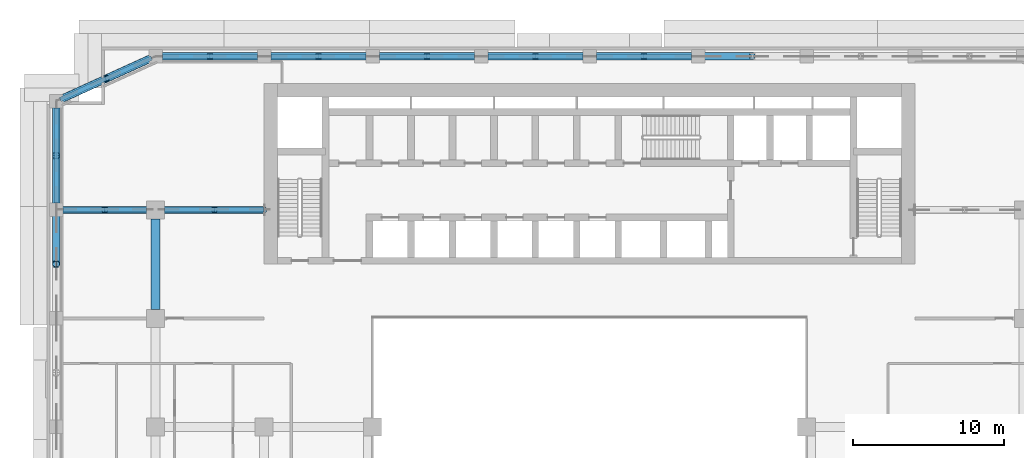
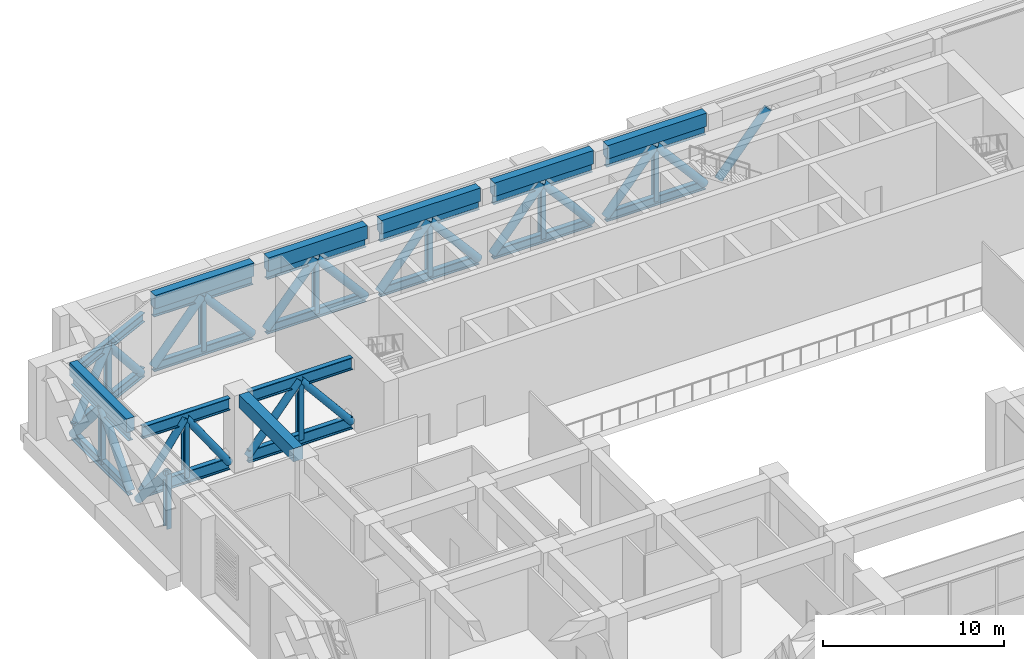
# One storey, part 6 of 19: 48 members, 7 beams.
"""IFC4 building model written with IfcOpenShell, lengths in metres."""

from ifc_helpers import new_model, si_unit, direction, frame, origin, origin_2d, place, context, subcontext, project, spatial, rectangle, hollow_circle, i_section, extrude, source, transform, mapped, material, material_profile, profile_set, type_object, element, save


model = new_model("IFC4")

# Units and contexts
model_context = context("Model", 3, precision=1e-05, world=origin(), true_north=direction((0.0, 1.0)))
body_context = subcontext(model_context, "Body", "Model", "MODEL_VIEW")
ifc_project = project(units=[si_unit("LENGTHUNIT", "METRE"), si_unit("AREAUNIT", "SQUARE_METRE"), si_unit("VOLUMEUNIT", "CUBIC_METRE"), si_unit("PLANEANGLEUNIT", "RADIAN"), si_unit("MASSUNIT", "GRAM", prefix="KILO")], contexts=[model_context])

# Site, building, storey
site_placement = place(None, origin())
site = spatial("IfcSite", under=ifc_project, at=site_placement, CompositionType="ELEMENT")
building_placement = place(site_placement, origin())
building = spatial("IfcBuilding", under=site, at=building_placement, Name="Saffron Iwan Residences", CompositionType="ELEMENT")
storey_placement = place(building_placement, frame((0.0, 0.0, 107.5)))
storey = spatial("IfcBuildingStorey", under=building, at=storey_placement, Name="L28", CompositionType="ELEMENT", Elevation=107.5)

# Beams
ifc_material_1 = material(Name="Concrete C60/75", Category="concrete")
ifc_material_profile_1 = material_profile(ifc_material_1, rectangle(XDim=0.5, YDim=0.89990234375, at=origin_2d()), Name="RC 500x900")
ifc_profile_set_1 = profile_set([ifc_material_profile_1], Name="Concrete C60/75")
beam_type_1 = type_object("IfcBeamType", Name="SPANDREL BEAM RC 500x900 C60/75 TOP 5200", PredefinedType="SPANDREL", material=ifc_profile_set_1)
shared_shape_1 = source(origin(), body_context, "Body", "SweptSolid", [
    extrude(rectangle(XDim=0.5, YDim=0.89990234375, at=origin_2d()), origin(), (0.0, 0.0, 1.0), 6.300048828125),
])
for number, where, z_axis, x_axis, name in (
    (1, (15.0, 70.050048828125, 4.75), (0.0, 1.0, 0.0), (-1.0, 0.0, 0.0), "Spandrel beam"),
    (2, (22.050048828125, 79.800048828125, 4.75), (1.0, 0.0, 0.0), (0.0, 1.0, 0.0), "Spandrel beam"),
    (3, (29.25, 79.800048828125, 4.75), (1.0, 0.0, 0.0), (0.0, 1.0, 0.0), "Spandrel beam"),
    (4, (36.449951171875, 79.800048828125, 4.75), (1.0, 0.0, 0.0), (0.0, 1.0, 0.0), "Spandrel beam"),
    (5, (43.64990234375, 79.800048828125, 4.75), (1.0, 0.0, 0.0), (0.0, 1.0, 0.0), "Spandrel beam"),
):
    element("IfcBeam", number, at=place(storey_placement, frame(where, z_axis=z_axis, x_axis=x_axis)), inside=storey, type_object=beam_type_1, Name=name, PredefinedType="SPANDREL", context=body_context, shape_type="MappedRepresentation", body=[
        mapped(shared_shape_1, transform((0.0, 0.0, 0.0))),
    ])
shared_shape_2 = source(origin(), body_context, "Body", "SweptSolid", [
    extrude(rectangle(XDim=0.5, YDim=0.89990234375, at=origin_2d()), origin(), (0.0, 0.0, 1.0), 6.2998046875),
])
beam_1_placement = place(storey_placement, frame((50.85009765625, 79.800048828125, 4.75), z_axis=(1.0, 0.0, 0.0), x_axis=(0.0, 1.0, 0.0)))
element("IfcBeam", 6, at=beam_1_placement, inside=storey, type_object=beam_type_1, Name="Spandrel beam", PredefinedType="SPANDREL", context=body_context, shape_type="MappedRepresentation", body=[
    mapped(shared_shape_2, transform((0.0, 0.0, 0.0))),
])
ifc_material_profile_2 = material_profile(ifc_material_1, rectangle(XDim=0.60009765625, YDim=0.89990234375, at=origin_2d()), Name="RC 600x900")
ifc_profile_set_2 = profile_set([ifc_material_profile_2], Name="Concrete C60/75")
beam_type_2 = type_object("IfcBeamType", Name="BEAM RC 600x900 C60/75 TOP 5200", PredefinedType="BEAM", material=ifc_profile_set_2)
shared_shape_3 = source(origin(), body_context, "Body", "SweptSolid", [
    extrude(rectangle(XDim=0.60009765625, YDim=0.89990234375, at=origin_2d()), origin(), (0.0, 0.0, 1.0), 6.0),
])
beam_2_placement = place(storey_placement, frame((21.60009765625, 63.0, 4.75), z_axis=(0.0, 1.0, 0.0), x_axis=(-1.0, 0.0, 0.0)))
element("IfcBeam", 7, at=beam_2_placement, inside=storey, type_object=beam_type_2, Name="Floor beam", PredefinedType="BEAM", context=body_context, shape_type="MappedRepresentation", body=[
    mapped(shared_shape_3, transform((0.0, 0.0, 0.0))),
])

# Members
ifc_material_2 = material(Name="Steel S355", Category="steel")
ifc_material_profile_3 = material_profile(ifc_material_2, i_section(OverallWidth=0.304931640625, OverallDepth=0.6201171875, WebThickness=0.02099609375, FlangeThickness=0.0400390625, FilletRadius=0.027099609375, at=origin_2d()), Name="HE 600 M")
ifc_profile_set_3 = profile_set([ifc_material_profile_3], Name="Steel S355")
member_type_1 = type_object("IfcMemberType", Name="BELT TRUSS CHORD HE 600 M S355", PredefinedType="CHORD", material=ifc_profile_set_3)
shared_shape_4 = source(origin(), body_context, "Body", "SweptSolid", [
    extrude(i_section(OverallWidth=0.304931640625, OverallDepth=0.6201171875, WebThickness=0.02099609375, FlangeThickness=0.0400390625, FilletRadius=0.027099609375, at=origin_2d()), origin(), (0.0, 0.0, 1.0), 6.300048828125),
])
for number, where, z_axis, x_axis, name in (
    (8, (15.0, 70.050048828125, 0.31005859375), (0.0, 1.0, 0.0), (-1.0, 0.0, 0.0), "Belt truss chord L28"),
    (9, (15.0, 70.050048828125, 3.989990234375), (0.0, 1.0, 0.0), (-1.0, 0.0, 0.0), "Belt truss chord L28"),
    (10, (22.050048828125, 79.800048828125, 0.31005859375), (1.0, 0.0, 0.0), (0.0, 1.0, 0.0), "Belt truss chord L28"),
    (11, (22.050048828125, 79.800048828125, 3.989990234375), (1.0, 0.0, 0.0), (0.0, 1.0, 0.0), "Belt truss chord L28"),
    (12, (29.25, 79.800048828125, 0.31005859375), (1.0, 0.0, 0.0), (0.0, 1.0, 0.0), "Belt truss chord L28"),
    (13, (29.25, 79.800048828125, 3.989990234375), (1.0, 0.0, 0.0), (0.0, 1.0, 0.0), "Belt truss chord L28"),
    (14, (36.449951171875, 79.800048828125, 0.31005859375), (1.0, 0.0, 0.0), (0.0, 1.0, 0.0), "Belt truss chord L28"),
    (15, (36.449951171875, 79.800048828125, 3.989990234375), (1.0, 0.0, 0.0), (0.0, 1.0, 0.0), "Belt truss chord L28"),
    (16, (43.64990234375, 79.800048828125, 0.31005859375), (1.0, 0.0, 0.0), (0.0, 1.0, 0.0), "Belt truss chord L28"),
    (17, (43.64990234375, 79.800048828125, 3.989990234375), (1.0, 0.0, 0.0), (0.0, 1.0, 0.0), "Belt truss chord L28"),
):
    element("IfcMember", number, at=place(storey_placement, frame(where, z_axis=z_axis, x_axis=x_axis)), inside=storey, type_object=member_type_1, Name=name, PredefinedType="CHORD", context=body_context, shape_type="MappedRepresentation", body=[
        mapped(shared_shape_4, transform((0.0, 0.0, 0.0))),
    ])
ifc_material_profile_4 = material_profile(ifc_material_2, hollow_circle(Radius=0.25390625, WallThickness=0.01611328125, at=origin_2d()), Name="CHS 508x16")
ifc_profile_set_4 = profile_set([ifc_material_profile_4], Name="Steel S355")
member_type_2 = type_object("IfcMemberType", Name="BELT TRUSS DIAGONAL CHS 508x16 S355", PredefinedType="BRACE", material=ifc_profile_set_4)
shared_shape_5 = source(origin(), body_context, "Body", "SweptSolid", [
    extrude(hollow_circle(Radius=0.25390625, WallThickness=0.01611328125, at=origin_2d()), origin(), (0.0, 0.0, 1.0), 4.843994140625),
])
for number, where, z_axis, x_axis, name in (
    (18, (15.0, 66.0, 3.989990234375), (0.0, 0.650276538531, -0.75969758683), (-1.0, 0.0, 0.0), "Belt truss diagonal L28"),
    (19, (15.0, 70.050048828125, 0.31005859375), (0.0, 0.650276538531, 0.75969758683), (-1.0, 0.0, 0.0), "Belt truss diagonal L28"),
    (20, (15.0, 73.199951171875, 3.989990234375), (0.0, 0.650305625683, -0.759672688206), (-1.0, 0.0, 0.0), "Belt truss diagonal L28"),
    (21, (22.050048828125, 79.800048828125, 0.31005859375), (0.650276538531, 0.0, 0.75969758683), (0.0, 1.0, 0.0), "Belt truss diagonal L28"),
    (22, (25.199951171875, 79.800048828125, 3.989990234375), (0.650305625683, 0.0, -0.759672688206), (0.0, 1.0, 0.0), "Belt truss diagonal L28"),
    (23, (29.25, 79.800048828125, 0.31005859375), (0.650276538531, 0.0, 0.75969758683), (0.0, 1.0, 0.0), "Belt truss diagonal L28"),
    (24, (32.39990234375, 79.800048828125, 3.989990234375), (0.650305625683, 0.0, -0.759672688206), (0.0, 1.0, 0.0), "Belt truss diagonal L28"),
    (25, (36.449951171875, 79.800048828125, 0.31005859375), (0.650305625683, 0.0, 0.759672688206), (0.0, 1.0, 0.0), "Belt truss diagonal L28"),
    (26, (39.60009765625, 79.800048828125, 3.989990234375), (0.650276538531, 0.0, -0.75969758683), (0.0, 1.0, 0.0), "Belt truss diagonal L28"),
    (27, (43.64990234375, 79.800048828125, 0.31005859375), (0.650305625683, 0.0, 0.759672688206), (0.0, 1.0, 0.0), "Belt truss diagonal L28"),
    (28, (46.800048828125, 79.800048828125, 3.989990234375), (0.650276538531, 0.0, -0.75969758683), (0.0, 1.0, 0.0), "Belt truss diagonal L28"),
    (29, (50.85009765625, 79.800048828125, 0.31005859375), (0.650276538531, 0.0, 0.75969758683), (0.0, 1.0, 0.0), "Belt truss diagonal L28"),
    (30, (54.0, 79.800048828125, 3.989990234375), (0.650276538531, 0.0, -0.75969758683), (0.0, 1.0, 0.0), "Belt truss diagonal L28"),
    (31, (58.050048828125, 79.800048828125, 0.31005859375), (0.650276538531, 0.0, 0.75969758683), (0.0, 1.0, 0.0), "Belt truss diagonal L28"),
):
    element("IfcMember", number, at=place(storey_placement, frame(where, z_axis=z_axis, x_axis=x_axis)), inside=storey, type_object=member_type_2, Name=name, PredefinedType="BRACE", context=body_context, shape_type="MappedRepresentation", body=[
        mapped(shared_shape_5, transform((0.0, 0.0, 0.0))),
    ])
ifc_material_profile_5 = material_profile(ifc_material_2, i_section(OverallWidth=0.300048828125, OverallDepth=0.39990234375, WebThickness=0.013427734375, FlangeThickness=0.02392578125, FilletRadius=0.027099609375, at=origin_2d()), Name="HE 400 B")
ifc_profile_set_5 = profile_set([ifc_material_profile_5], Name="Steel S355")
member_type_3 = type_object("IfcMemberType", Name="BELT TRUSS POST HE 400 B S355", PredefinedType="POST", material=ifc_profile_set_5)
shared_shape_6 = source(origin(), body_context, "Body", "SweptSolid", [
    extrude(i_section(OverallWidth=0.300048828125, OverallDepth=0.39990234375, WebThickness=0.013427734375, FlangeThickness=0.02392578125, FilletRadius=0.027099609375, at=origin_2d()), origin(), (0.0, 0.0, 1.0), 3.679931640625),
])
for number, where, z_axis, x_axis, name in (
    (32, (15.0, 66.0, 0.31005859375), (0.0, 0.0, 1.0), (1.0, 0.0, 0.0), "Belt truss post L28"),
    (33, (15.0, 73.199951171875, 0.31005859375), (0.0, 0.0, 1.0), (1.0, 0.0, 0.0), "Belt truss post L28"),
    (34, (18.300048828125, 78.300048828125, 0.31005859375), (0.0, 0.0, 1.0), (1.0, 0.0, 0.0), "Belt truss post L28"),
    (35, (25.199951171875, 79.800048828125, 0.31005859375), (0.0, 0.0, 1.0), (1.0, 0.0, 0.0), "Belt truss post L28"),
    (36, (32.39990234375, 79.800048828125, 0.31005859375), (0.0, 0.0, 1.0), (1.0, 0.0, 0.0), "Belt truss post L28"),
    (37, (39.60009765625, 79.800048828125, 0.31005859375), (0.0, 0.0, 1.0), (1.0, 0.0, 0.0), "Belt truss post L28"),
    (38, (46.800048828125, 79.800048828125, 0.31005859375), (0.0, 0.0, 1.0), (1.0, 0.0, 0.0), "Belt truss post L28"),
    (39, (54.0, 79.800048828125, 0.31005859375), (0.0, 0.0, 1.0), (1.0, 0.0, 0.0), "Belt truss post L28"),
):
    element("IfcMember", number, at=place(storey_placement, frame(where, z_axis=z_axis, x_axis=x_axis)), inside=storey, type_object=member_type_3, Name=name, PredefinedType="POST", context=body_context, shape_type="MappedRepresentation", body=[
        mapped(shared_shape_6, transform((0.0, 0.0, 0.0))),
    ])
shared_shape_7 = source(origin(), body_context, "Body", "SweptSolid", [
    extrude(i_section(OverallWidth=0.304931640625, OverallDepth=0.6201171875, WebThickness=0.02099609375, FlangeThickness=0.0400390625, FilletRadius=0.027099609375, at=origin_2d()), origin(), (0.0, 0.0, 1.0), 6.2998046875),
])
for number, where, z_axis, x_axis, name in (
    (40, (50.85009765625, 79.800048828125, 0.31005859375), (1.0, 0.0, 0.0), (0.0, 1.0, 0.0), "Belt truss chord L28"),
    (41, (50.85009765625, 79.800048828125, 3.989990234375), (1.0, 0.0, 0.0), (0.0, 1.0, 0.0), "Belt truss chord L28"),
):
    element("IfcMember", number, at=place(storey_placement, frame(where, z_axis=z_axis, x_axis=x_axis)), inside=storey, type_object=member_type_1, Name=name, PredefinedType="CHORD", context=body_context, shape_type="MappedRepresentation", body=[
        mapped(shared_shape_7, transform((0.0, 0.0, 0.0))),
    ])
shared_shape_8 = source(origin(), body_context, "Body", "SweptSolid", [
    extrude(i_section(OverallWidth=0.304931640625, OverallDepth=0.6201171875, WebThickness=0.02099609375, FlangeThickness=0.0400390625, FilletRadius=0.027099609375, at=origin_2d()), origin(), (0.0, 0.0, 1.0), 6.666015625),
])
for number, where, z_axis, x_axis, name in (
    (42, (15.265625, 76.9208984375, 0.31005859375), (0.910375257104, 0.413783628546, 0.0), (-0.413783628546, 0.910375257104, 0.0), "Belt truss chord L28"),
    (43, (15.265625, 76.9208984375, 3.989990234375), (0.910375257104, 0.413783628546, 0.0), (-0.413783628546, 0.910375257104, 0.0), "Belt truss chord L28"),
):
    element("IfcMember", number, at=place(storey_placement, frame(where, z_axis=z_axis, x_axis=x_axis)), inside=storey, type_object=member_type_1, Name=name, PredefinedType="CHORD", context=body_context, shape_type="MappedRepresentation", body=[
        mapped(shared_shape_8, transform((0.0, 0.0, 0.0))),
    ])
shared_shape_9 = source(origin(), body_context, "Body", "SweptSolid", [
    extrude(hollow_circle(Radius=0.25390625, WallThickness=0.01611328125, at=origin_2d()), origin(), (0.0, 0.0, 1.0), 4.83154296875),
])
member_1_placement = place(storey_placement, frame((15.449951171875, 77.00439453125, 0.31005859375), z_axis=(0.589895577269, 0.268166509214, 0.761649480571), x_axis=(-0.413844070736, 0.910347782508, 0.0)))
element("IfcMember", 44, at=member_1_placement, inside=storey, type_object=member_type_2, Name="Belt truss diagonal L28", PredefinedType="BRACE", context=body_context, shape_type="MappedRepresentation", body=[
    mapped(shared_shape_9, transform((0.0, 0.0, 0.0))),
])
shared_shape_10 = source(origin(), body_context, "Body", "SweptSolid", [
    extrude(hollow_circle(Radius=0.25390625, WallThickness=0.01611328125, at=origin_2d()), origin(), (0.0, 0.0, 1.0), 4.831298828125),
])
member_2_placement = place(storey_placement, frame((18.300048828125, 78.300048828125, 3.989990234375), z_axis=(0.589870621502, 0.268127603674, -0.761682504746), x_axis=(-0.413808820165, 0.910363806593, 0.0)))
element("IfcMember", 45, at=member_2_placement, inside=storey, type_object=member_type_2, Name="Belt truss diagonal L28", PredefinedType="BRACE", context=body_context, shape_type="MappedRepresentation", body=[
    mapped(shared_shape_10, transform((0.0, 0.0, 0.0))),
])
ifc_material_profile_6 = material_profile(ifc_material_2, i_section(OverallWidth=0.302978515625, OverallDepth=0.81396484375, WebThickness=0.02099609375, FlangeThickness=0.0400390625, FilletRadius=0.030029296875, at=origin_2d()), Name="HE 800 M")
ifc_profile_set_6 = profile_set([ifc_material_profile_6], Name="Steel S355")
member_type_4 = type_object("IfcMemberType", Name="OUTRIGGER TRUSS CHORD HE 800 M S355", PredefinedType="CHORD", material=ifc_profile_set_6)
shared_shape_11 = source(origin(), body_context, "Body", "SweptSolid", [
    extrude(i_section(OverallWidth=0.302978515625, OverallDepth=0.81396484375, WebThickness=0.02099609375, FlangeThickness=0.0400390625, FilletRadius=0.030029296875, at=origin_2d()), origin(), (0.0, 0.0, 1.0), 6.60009765625),
])
for number, where, z_axis, x_axis, name in (
    (46, (28.800048828125, 69.60009765625, 0.406982421875), (-1.0, 0.0, 0.0), (0.0, -1.0, 0.0), "Outrigger truss chord L28"),
    (47, (28.800048828125, 69.60009765625, 4.39306640625), (-1.0, 0.0, 0.0), (0.0, -1.0, 0.0), "Outrigger truss chord L28"),
):
    element("IfcMember", number, at=place(storey_placement, frame(where, z_axis=z_axis, x_axis=x_axis)), inside=storey, type_object=member_type_4, Name=name, PredefinedType="CHORD", context=body_context, shape_type="MappedRepresentation", body=[
        mapped(shared_shape_11, transform((0.0, 0.0, 0.0))),
    ])
ifc_material_profile_7 = material_profile(ifc_material_2, hollow_circle(Radius=0.228515625, WallThickness=0.01611328125, at=origin_2d()), Name="CHS 457x16")
ifc_profile_set_7 = profile_set([ifc_material_profile_7], Name="Steel S355")
member_type_5 = type_object("IfcMemberType", Name="OUTRIGGER TRUSS DIAGONAL CHS 457x16 S355", PredefinedType="BRACE", material=ifc_profile_set_7)
shared_shape_12 = source(origin(), body_context, "Body", "SweptSolid", [
    extrude(hollow_circle(Radius=0.228515625, WallThickness=0.01611328125, at=origin_2d()), origin(), (0.0, 0.0, 1.0), 5.1748046875),
])
for number, where, z_axis, x_axis, name in (
    (48, (28.800048828125, 69.60009765625, 0.406982421875), (-0.637707706558, 0.0, 0.770278443809), (0.0, -1.0, 0.0), "Outrigger truss diagonal L28"),
    (49, (25.5, 69.60009765625, 4.39306640625), (-0.637707706558, 0.0, -0.770278443809), (0.0, -1.0, 0.0), "Outrigger truss diagonal L28"),
):
    element("IfcMember", number, at=place(storey_placement, frame(where, z_axis=z_axis, x_axis=x_axis)), inside=storey, type_object=member_type_5, Name=name, PredefinedType="BRACE", context=body_context, shape_type="MappedRepresentation", body=[
        mapped(shared_shape_12, transform((0.0, 0.0, 0.0))),
    ])
ifc_material_profile_8 = material_profile(ifc_material_2, i_section(OverallWidth=0.300048828125, OverallDepth=0.39990234375, WebThickness=0.013427734375, FlangeThickness=0.02392578125, FilletRadius=0.027099609375, at=origin_2d()), Name="HE 400 B")
ifc_profile_set_8 = profile_set([ifc_material_profile_8], Name="Steel S355")
member_type_6 = type_object("IfcMemberType", Name="OUTRIGGER TRUSS POST HE 400 B S355", PredefinedType="POST", material=ifc_profile_set_8)
shared_shape_13 = source(origin(), body_context, "Body", "SweptSolid", [
    extrude(i_section(OverallWidth=0.300048828125, OverallDepth=0.39990234375, WebThickness=0.013427734375, FlangeThickness=0.02392578125, FilletRadius=0.027099609375, at=origin_2d()), origin(), (0.0, 0.0, 1.0), 3.986083984375),
])
for number, where, z_axis, x_axis, name in (
    (50, (25.5, 69.60009765625, 0.406982421875), (0.0, 0.0, 1.0), (1.0, 0.0, 0.0), "Outrigger truss post L28"),
    (51, (18.22509765625, 69.60009765625, 0.406982421875), (0.0, 0.0, 1.0), (1.0, 0.0, 0.0), "Outrigger truss post L28"),
):
    element("IfcMember", number, at=place(storey_placement, frame(where, z_axis=z_axis, x_axis=x_axis)), inside=storey, type_object=member_type_6, Name=name, PredefinedType="POST", context=body_context, shape_type="MappedRepresentation", body=[
        mapped(shared_shape_13, transform((0.0, 0.0, 0.0))),
    ])
shared_shape_14 = source(origin(), body_context, "Body", "SweptSolid", [
    extrude(i_section(OverallWidth=0.302978515625, OverallDepth=0.81396484375, WebThickness=0.02099609375, FlangeThickness=0.0400390625, FilletRadius=0.030029296875, at=origin_2d()), origin(), (0.0, 0.0, 1.0), 5.550048828125),
])
for number, where, z_axis, x_axis, name in (
    (52, (21.0, 69.60009765625, 0.406982421875), (-1.0, 0.0, 0.0), (0.0, -1.0, 0.0), "Outrigger truss chord L28"),
    (53, (21.0, 69.60009765625, 4.39306640625), (-1.0, 0.0, 0.0), (0.0, -1.0, 0.0), "Outrigger truss chord L28"),
):
    element("IfcMember", number, at=place(storey_placement, frame(where, z_axis=z_axis, x_axis=x_axis)), inside=storey, type_object=member_type_4, Name=name, PredefinedType="CHORD", context=body_context, shape_type="MappedRepresentation", body=[
        mapped(shared_shape_14, transform((0.0, 0.0, 0.0))),
    ])
shared_shape_15 = source(origin(), body_context, "Body", "SweptSolid", [
    extrude(hollow_circle(Radius=0.228515625, WallThickness=0.01611328125, at=origin_2d()), origin(), (0.0, 0.0, 1.0), 4.85693359375),
])
for number, where, z_axis, x_axis, name in (
    (54, (21.0, 69.60009765625, 0.406982421875), (-0.571338397305, 0.0, 0.820714588493), (0.0, -1.0, 0.0), "Outrigger truss diagonal L28"),
    (55, (18.22509765625, 69.60009765625, 4.39306640625), (-0.57137225453, 0.0, -0.820691017834), (0.0, -1.0, 0.0), "Outrigger truss diagonal L28"),
):
    element("IfcMember", number, at=place(storey_placement, frame(where, z_axis=z_axis, x_axis=x_axis)), inside=storey, type_object=member_type_5, Name=name, PredefinedType="BRACE", context=body_context, shape_type="MappedRepresentation", body=[
        mapped(shared_shape_15, transform((0.0, 0.0, 0.0))),
    ])

save(model, "model.ifc")
